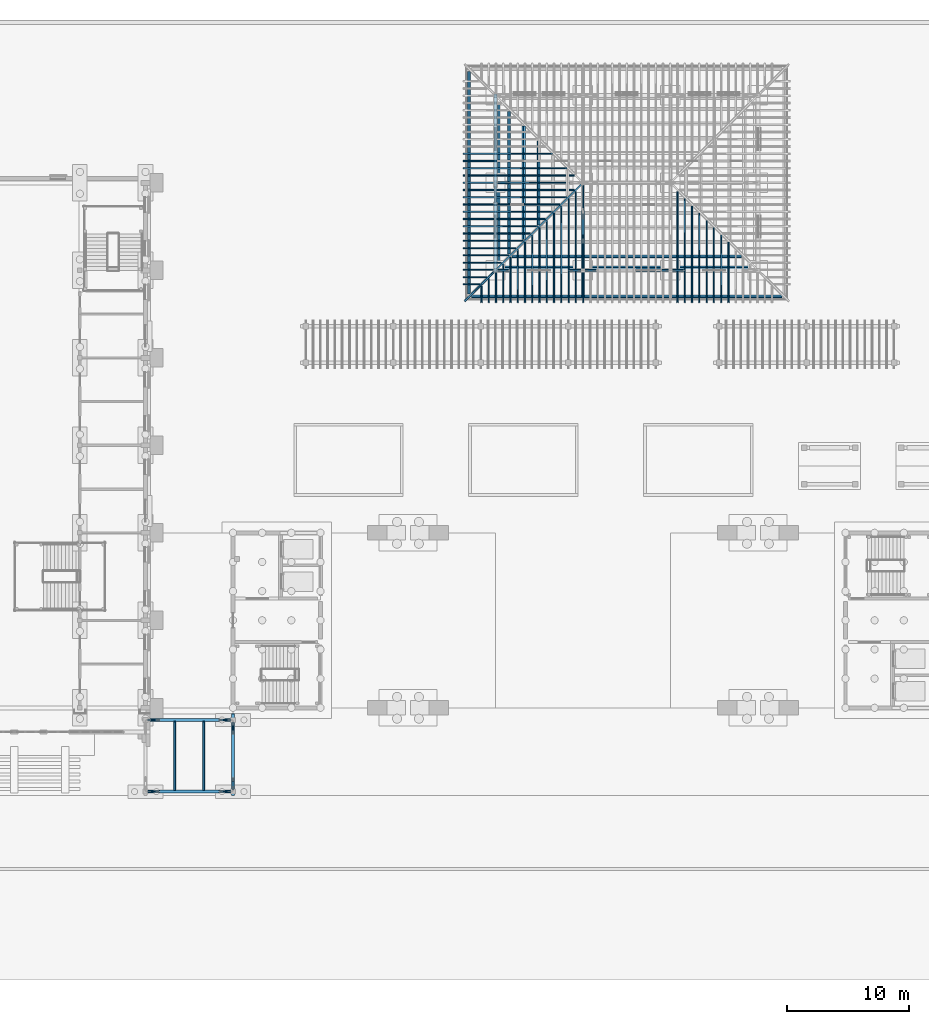
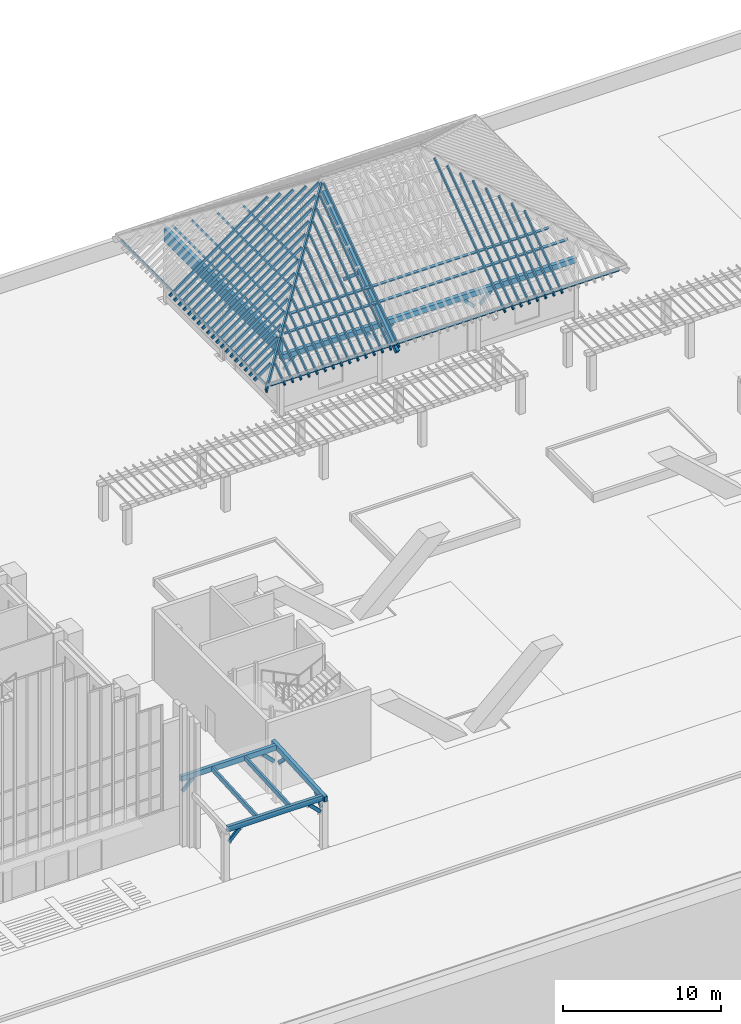
# One storey, part 11 of 84: 66 members, 7 beams.
"""IFC4 building model written with IfcOpenShell, lengths in metres."""

from ifc_helpers import new_model, si_unit, direction, frame, origin, origin_2d, place, context, subcontext, project, spatial, rectangle, extrude, material, material_profile, profile_set, type_object, element, save


model = new_model("IFC4")

# Units and contexts
model_context = context("Model", 3, precision=1e-05, world=origin(), true_north=direction((0.0, 1.0)))
body_context = subcontext(model_context, "Body", "Model", "MODEL_VIEW")
ifc_project = project(units=[si_unit("LENGTHUNIT", "METRE"), si_unit("AREAUNIT", "SQUARE_METRE"), si_unit("VOLUMEUNIT", "CUBIC_METRE"), si_unit("PLANEANGLEUNIT", "RADIAN"), si_unit("MASSUNIT", "GRAM", prefix="KILO")], contexts=[model_context])

# Site, building, storey
site_placement = place(None, origin())
site = spatial("IfcSite", under=ifc_project, at=site_placement, CompositionType="ELEMENT")
building_placement = place(site_placement, origin())
building = spatial("IfcBuilding", under=site, at=building_placement, Name="Mazhai Court Health Centre", CompositionType="ELEMENT")
storey_placement = place(building_placement, origin())
storey = spatial("IfcBuildingStorey", under=building, at=storey_placement, Name="L00", CompositionType="ELEMENT", Elevation=0.0)

# Members
ifc_material_1 = material(Name="Glulam GL24h", Category="wood")
ifc_material_profile_1 = material_profile(ifc_material_1, rectangle(XDim=0.10009765625, YDim=0.199951171875, at=origin_2d()), Name="GL24h 100x200")
ifc_profile_set_1 = profile_set([ifc_material_profile_1], Name="Glulam GL24h")
member_type_1 = type_object("IfcMemberType", Name="GL24h 100x200 rafter", PredefinedType="RAFTER", material=ifc_profile_set_1)
member_1_placement = place(storey_placement, frame((111.76806640625, 46.8017578125, 4.09375), z_axis=(0.0, 0.812419464296, 0.583073420791), x_axis=(-1.0, 0.0, 0.0)))
element("IfcMember", 1, at=member_1_placement, inside=storey, type_object=member_type_1, Name="Rafter RV3-RF7", PredefinedType="RAFTER", context=body_context, shape_type="SweptSolid", body=[
    extrude(rectangle(XDim=0.10009765625, YDim=0.199951171875, at=origin_2d()), origin(), (0.0, 0.0, 1.0), 5.947509765625),
])
member_2_placement = place(storey_placement, frame((111.17041015625, 46.8017578125, 4.09375), z_axis=(0.0, 0.812418244534, 0.58307512033), x_axis=(-1.0, 0.0, 0.0)))
element("IfcMember", 2, at=member_2_placement, inside=storey, type_object=member_type_1, Name="Rafter RV3-RF8", PredefinedType="RAFTER", context=body_context, shape_type="SweptSolid", body=[
    extrude(rectangle(XDim=0.10009765625, YDim=0.199951171875, at=origin_2d()), origin(), (0.0, 0.0, 1.0), 6.68310546875),
])
member_3_placement = place(storey_placement, frame((110.57275390625, 46.8017578125, 4.09375), z_axis=(0.0, 0.812428454473, 0.583060894214), x_axis=(-1.0, 0.0, 0.0)))
element("IfcMember", 3, at=member_3_placement, inside=storey, type_object=member_type_1, Name="Rafter RV3-RF9", PredefinedType="RAFTER", context=body_context, shape_type="SweptSolid", body=[
    extrude(rectangle(XDim=0.10009765625, YDim=0.199951171875, at=origin_2d()), origin(), (0.0, 0.0, 1.0), 7.4189453125),
])
member_4_placement = place(storey_placement, frame((109.97509765625, 46.8017578125, 4.09375), z_axis=(0.0, 0.812426643806, 0.583063417163), x_axis=(-1.0, 0.0, 0.0)))
element("IfcMember", 4, at=member_4_placement, inside=storey, type_object=member_type_1, Name="Rafter RV3-RF10", PredefinedType="RAFTER", context=body_context, shape_type="SweptSolid", body=[
    extrude(rectangle(XDim=0.10009765625, YDim=0.199951171875, at=origin_2d()), origin(), (0.0, 0.0, 1.0), 8.154541015625),
])
member_5_placement = place(storey_placement, frame((109.377197265625, 46.8017578125, 4.09375), z_axis=(0.0, 0.812425132796, 0.583065522563), x_axis=(-1.0, 0.0, 0.0)))
element("IfcMember", 5, at=member_5_placement, inside=storey, type_object=member_type_1, Name="Rafter RV3-RF11", PredefinedType="RAFTER", context=body_context, shape_type="SweptSolid", body=[
    extrude(rectangle(XDim=0.10009765625, YDim=0.199951171875, at=origin_2d()), origin(), (0.0, 0.0, 1.0), 8.89013671875),
])
member_6_placement = place(storey_placement, frame((108.779541015625, 46.8017578125, 4.09375), z_axis=(0.0, 0.812432475027, 0.583055291993), x_axis=(-1.0, 0.0, 0.0)))
element("IfcMember", 6, at=member_6_placement, inside=storey, type_object=member_type_1, Name="Rafter RV3-RF12", PredefinedType="RAFTER", context=body_context, shape_type="SweptSolid", body=[
    extrude(rectangle(XDim=0.10009765625, YDim=0.199951171875, at=origin_2d()), origin(), (0.0, 0.0, 1.0), 9.626220703125),
])
member_7_placement = place(storey_placement, frame((108.181884765625, 46.8017578125, 4.09375), z_axis=(0.0, 0.812430764619, 0.583057675278), x_axis=(-1.0, 0.0, 0.0)))
element("IfcMember", 7, at=member_7_placement, inside=storey, type_object=member_type_1, Name="Rafter RV3-RF13", PredefinedType="RAFTER", context=body_context, shape_type="SweptSolid", body=[
    extrude(rectangle(XDim=0.10009765625, YDim=0.199951171875, at=origin_2d()), origin(), (0.0, 0.0, 1.0), 10.36181640625),
])
member_8_placement = place(storey_placement, frame((107.583984375, 46.8017578125, 4.09375), z_axis=(0.0, 0.812429280975, 0.583059742578), x_axis=(-1.0, 0.0, 0.0)))
element("IfcMember", 8, at=member_8_placement, inside=storey, type_object=member_type_1, Name="Rafter RV3-RF14", PredefinedType="RAFTER", context=body_context, shape_type="SweptSolid", body=[
    extrude(rectangle(XDim=0.10009765625, YDim=0.199951171875, at=origin_2d()), origin(), (0.0, 0.0, 1.0), 11.097412109375),
])
member_9_placement = place(storey_placement, frame((99.813720703125, 46.8017578125, 4.09375), z_axis=(0.0, 0.812433146578, 0.583054356249), x_axis=(-1.0, 0.0, 0.0)))
element("IfcMember", 9, at=member_9_placement, inside=storey, type_object=member_type_1, Name="Rafter RV3-RF27", PredefinedType="RAFTER", context=body_context, shape_type="SweptSolid", body=[
    extrude(rectangle(XDim=0.10009765625, YDim=0.199951171875, at=origin_2d()), origin(), (0.0, 0.0, 1.0), 11.81640625),
])
member_10_placement = place(storey_placement, frame((99.2158203125, 46.8017578125, 4.09375), z_axis=(0.0, 0.812429280975, 0.583059742578), x_axis=(-1.0, 0.0, 0.0)))
element("IfcMember", 10, at=member_10_placement, inside=storey, type_object=member_type_1, Name="Rafter RV3-RF28", PredefinedType="RAFTER", context=body_context, shape_type="SweptSolid", body=[
    extrude(rectangle(XDim=0.10009765625, YDim=0.199951171875, at=origin_2d()), origin(), (0.0, 0.0, 1.0), 11.097412109375),
])
member_11_placement = place(storey_placement, frame((98.6181640625, 46.8017578125, 4.09375), z_axis=(0.0, 0.812430764619, 0.583057675278), x_axis=(-1.0, 0.0, 0.0)))
element("IfcMember", 11, at=member_11_placement, inside=storey, type_object=member_type_1, Name="Rafter RV3-RF29", PredefinedType="RAFTER", context=body_context, shape_type="SweptSolid", body=[
    extrude(rectangle(XDim=0.10009765625, YDim=0.199951171875, at=origin_2d()), origin(), (0.0, 0.0, 1.0), 10.36181640625),
])
member_12_placement = place(storey_placement, frame((98.0205078125, 46.8017578125, 4.09375), z_axis=(0.0, 0.812432475027, 0.583055291993), x_axis=(-1.0, 0.0, 0.0)))
element("IfcMember", 12, at=member_12_placement, inside=storey, type_object=member_type_1, Name="Rafter RV3-RF30", PredefinedType="RAFTER", context=body_context, shape_type="SweptSolid", body=[
    extrude(rectangle(XDim=0.10009765625, YDim=0.199951171875, at=origin_2d()), origin(), (0.0, 0.0, 1.0), 9.626220703125),
])
member_13_placement = place(storey_placement, frame((97.422607421875, 46.8017578125, 4.09375), z_axis=(0.0, 0.812425132796, 0.583065522563), x_axis=(-1.0, 0.0, 0.0)))
element("IfcMember", 13, at=member_13_placement, inside=storey, type_object=member_type_1, Name="Rafter RV3-RF31", PredefinedType="RAFTER", context=body_context, shape_type="SweptSolid", body=[
    extrude(rectangle(XDim=0.10009765625, YDim=0.199951171875, at=origin_2d()), origin(), (0.0, 0.0, 1.0), 8.89013671875),
])
member_14_placement = place(storey_placement, frame((96.824951171875, 46.8017578125, 4.09375), z_axis=(0.0, 0.812426643806, 0.583063417163), x_axis=(-1.0, 0.0, 0.0)))
element("IfcMember", 14, at=member_14_placement, inside=storey, type_object=member_type_1, Name="Rafter RV3-RF32", PredefinedType="RAFTER", context=body_context, shape_type="SweptSolid", body=[
    extrude(rectangle(XDim=0.10009765625, YDim=0.199951171875, at=origin_2d()), origin(), (0.0, 0.0, 1.0), 8.154541015625),
])
member_15_placement = place(storey_placement, frame((96.227294921875, 46.8017578125, 4.09375), z_axis=(0.0, 0.812428454473, 0.583060894214), x_axis=(-1.0, 0.0, 0.0)))
element("IfcMember", 15, at=member_15_placement, inside=storey, type_object=member_type_1, Name="Rafter RV3-RF33", PredefinedType="RAFTER", context=body_context, shape_type="SweptSolid", body=[
    extrude(rectangle(XDim=0.10009765625, YDim=0.199951171875, at=origin_2d()), origin(), (0.0, 0.0, 1.0), 7.4189453125),
])
member_16_placement = place(storey_placement, frame((95.629638671875, 46.8017578125, 4.09375), z_axis=(0.0, 0.812418244534, 0.58307512033), x_axis=(-1.0, 0.0, 0.0)))
element("IfcMember", 16, at=member_16_placement, inside=storey, type_object=member_type_1, Name="Rafter RV3-RF34", PredefinedType="RAFTER", context=body_context, shape_type="SweptSolid", body=[
    extrude(rectangle(XDim=0.10009765625, YDim=0.199951171875, at=origin_2d()), origin(), (0.0, 0.0, 1.0), 6.68310546875),
])
member_17_placement = place(storey_placement, frame((95.03173828125, 46.8017578125, 4.09375), z_axis=(0.0, 0.812419464296, 0.583073420791), x_axis=(-1.0, 0.0, 0.0)))
element("IfcMember", 17, at=member_17_placement, inside=storey, type_object=member_type_1, Name="Rafter RV3-RF35", PredefinedType="RAFTER", context=body_context, shape_type="SweptSolid", body=[
    extrude(rectangle(XDim=0.10009765625, YDim=0.199951171875, at=origin_2d()), origin(), (0.0, 0.0, 1.0), 5.947509765625),
])
member_18_placement = place(storey_placement, frame((94.43408203125, 46.8017578125, 4.09375), z_axis=(0.0, 0.812421028402, 0.583071241453), x_axis=(-1.0, 0.0, 0.0)))
element("IfcMember", 18, at=member_18_placement, inside=storey, type_object=member_type_1, Name="Rafter RV3-RF36", PredefinedType="RAFTER", context=body_context, shape_type="SweptSolid", body=[
    extrude(rectangle(XDim=0.10009765625, YDim=0.199951171875, at=origin_2d()), origin(), (0.0, 0.0, 1.0), 5.211669921875),
])
member_19_placement = place(storey_placement, frame((93.83642578125, 46.8017578125, 4.09375), z_axis=(0.0, 0.812423106631, 0.583068345746), x_axis=(-1.0, 0.0, 0.0)))
element("IfcMember", 19, at=member_19_placement, inside=storey, type_object=member_type_1, Name="Rafter RV3-RF37", PredefinedType="RAFTER", context=body_context, shape_type="SweptSolid", body=[
    extrude(rectangle(XDim=0.10009765625, YDim=0.199951171875, at=origin_2d()), origin(), (0.0, 0.0, 1.0), 4.47607421875),
])
member_20_placement = place(storey_placement, frame((93.238525390625, 46.8017578125, 4.09375), z_axis=(0.0, 0.812403810832, 0.58309523077), x_axis=(-1.0, 0.0, 0.0)))
element("IfcMember", 20, at=member_20_placement, inside=storey, type_object=member_type_1, Name="Rafter RV3-RF38", PredefinedType="RAFTER", context=body_context, shape_type="SweptSolid", body=[
    extrude(rectangle(XDim=0.10009765625, YDim=0.199951171875, at=origin_2d()), origin(), (0.0, 0.0, 1.0), 3.740234375),
])
member_21_placement = place(storey_placement, frame((92.640869140625, 46.8017578125, 4.09375), z_axis=(0.0, 0.812402691267, 0.583096790612), x_axis=(-1.0, 0.0, 0.0)))
element("IfcMember", 21, at=member_21_placement, inside=storey, type_object=member_type_1, Name="Rafter RV3-RF39", PredefinedType="RAFTER", context=body_context, shape_type="SweptSolid", body=[
    extrude(rectangle(XDim=0.10009765625, YDim=0.199951171875, at=origin_2d()), origin(), (0.0, 0.0, 1.0), 3.004638671875),
])
member_22_placement = place(storey_placement, frame((92.043212890625, 46.8017578125, 4.09375), z_axis=(0.0, 0.812451818334, 0.583028337978), x_axis=(-1.0, 0.0, 0.0)))
element("IfcMember", 22, at=member_22_placement, inside=storey, type_object=member_type_1, Name="Rafter RV3-RF40", PredefinedType="RAFTER", context=body_context, shape_type="SweptSolid", body=[
    extrude(rectangle(XDim=0.10009765625, YDim=0.199951171875, at=origin_2d()), origin(), (0.0, 0.0, 1.0), 2.268798828125),
])
member_23_placement = place(storey_placement, frame((91.445556640625, 46.8017578125, 4.09375), z_axis=(0.0, 0.812418522715, 0.583074732731), x_axis=(-1.0, 0.0, 0.0)))
element("IfcMember", 23, at=member_23_placement, inside=storey, type_object=member_type_1, Name="Rafter RV3-RF41", PredefinedType="RAFTER", context=body_context, shape_type="SweptSolid", body=[
    extrude(rectangle(XDim=0.10009765625, YDim=0.199951171875, at=origin_2d()), origin(), (0.0, 0.0, 1.0), 1.532958984375),
])
member_24_placement = place(storey_placement, frame((90.001708984375, 48.24365234375, 4.09375), z_axis=(0.81247092687, 0.0, 0.583001709252), x_axis=(0.0, 1.0, 0.0)))
element("IfcMember", 24, at=member_24_placement, inside=storey, type_object=member_type_1, Name="Rafter RV3-RF83", PredefinedType="RAFTER", context=body_context, shape_type="SweptSolid", body=[
    extrude(rectangle(XDim=0.10009765625, YDim=0.199951171875, at=origin_2d()), origin(), (0.0, 0.0, 1.0), 1.531005859375),
])
member_25_placement = place(storey_placement, frame((90.001708984375, 48.840576171875, 4.09375), z_axis=(0.812406193788, 0.0, 0.583091910676), x_axis=(0.0, 1.0, 0.0)))
element("IfcMember", 25, at=member_25_placement, inside=storey, type_object=member_type_1, Name="Rafter RV3-RF84", PredefinedType="RAFTER", context=body_context, shape_type="SweptSolid", body=[
    extrude(rectangle(XDim=0.10009765625, YDim=0.199951171875, at=origin_2d()), origin(), (0.0, 0.0, 1.0), 2.265625),
])
member_26_placement = place(storey_placement, frame((90.001708984375, 49.4375, 4.09375), z_axis=(0.812439371271, 0.0, 0.583045682608), x_axis=(0.0, 1.0, 0.0)))
element("IfcMember", 26, at=member_26_placement, inside=storey, type_object=member_type_1, Name="Rafter RV3-RF85", PredefinedType="RAFTER", context=body_context, shape_type="SweptSolid", body=[
    extrude(rectangle(XDim=0.10009765625, YDim=0.199951171875, at=origin_2d()), origin(), (0.0, 0.0, 1.0), 3.000244140625),
])
member_27_placement = place(storey_placement, frame((90.001708984375, 50.034423828125, 4.09375), z_axis=(0.812428532233, 0.0, 0.583060785865), x_axis=(0.0, 1.0, 0.0)))
element("IfcMember", 27, at=member_27_placement, inside=storey, type_object=member_type_1, Name="Rafter RV3-RF86", PredefinedType="RAFTER", context=body_context, shape_type="SweptSolid", body=[
    extrude(rectangle(XDim=0.10009765625, YDim=0.199951171875, at=origin_2d()), origin(), (0.0, 0.0, 1.0), 3.735107421875),
])
member_28_placement = place(storey_placement, frame((90.001708984375, 50.63134765625, 4.09375), z_axis=(0.812421256659, 0.0, 0.583070923412), x_axis=(0.0, 1.0, 0.0)))
element("IfcMember", 28, at=member_28_placement, inside=storey, type_object=member_type_1, Name="Rafter RV3-RF87", PredefinedType="RAFTER", context=body_context, shape_type="SweptSolid", body=[
    extrude(rectangle(XDim=0.10009765625, YDim=0.199951171875, at=origin_2d()), origin(), (0.0, 0.0, 1.0), 4.4697265625),
])
member_29_placement = place(storey_placement, frame((90.001708984375, 51.22802734375, 4.09375), z_axis=(0.81243825622, 0.0, 0.583047236362), x_axis=(0.0, 1.0, 0.0)))
element("IfcMember", 29, at=member_29_placement, inside=storey, type_object=member_type_1, Name="Rafter RV3-RF88", PredefinedType="RAFTER", context=body_context, shape_type="SweptSolid", body=[
    extrude(rectangle(XDim=0.10009765625, YDim=0.199951171875, at=origin_2d()), origin(), (0.0, 0.0, 1.0), 5.204345703125),
])
member_30_placement = place(storey_placement, frame((90.001708984375, 51.824951171875, 4.09375), z_axis=(0.812417602705, 0.0, 0.583076014611), x_axis=(0.0, 1.0, 0.0)))
element("IfcMember", 30, at=member_30_placement, inside=storey, type_object=member_type_1, Name="Rafter RV3-RF89", PredefinedType="RAFTER", context=body_context, shape_type="SweptSolid", body=[
    extrude(rectangle(XDim=0.10009765625, YDim=0.199951171875, at=origin_2d()), origin(), (0.0, 0.0, 1.0), 5.93896484375),
])
member_31_placement = place(storey_placement, frame((90.001708984375, 52.421875, 4.09375), z_axis=(0.812431262161, 0.0, 0.583056982003), x_axis=(0.0, 1.0, 0.0)))
element("IfcMember", 31, at=member_31_placement, inside=storey, type_object=member_type_1, Name="Rafter RV3-RF90", PredefinedType="RAFTER", context=body_context, shape_type="SweptSolid", body=[
    extrude(rectangle(XDim=0.10009765625, YDim=0.199951171875, at=origin_2d()), origin(), (0.0, 0.0, 1.0), 6.673583984375),
])
member_32_placement = place(storey_placement, frame((90.001708984375, 53.018798828125, 4.09375), z_axis=(0.812426601812, 0.0, 0.583063475677), x_axis=(0.0, 1.0, 0.0)))
element("IfcMember", 32, at=member_32_placement, inside=storey, type_object=member_type_1, Name="Rafter RV3-RF91", PredefinedType="RAFTER", context=body_context, shape_type="SweptSolid", body=[
    extrude(rectangle(XDim=0.10009765625, YDim=0.199951171875, at=origin_2d()), origin(), (0.0, 0.0, 1.0), 7.408447265625),
])
member_33_placement = place(storey_placement, frame((90.001708984375, 53.61572265625, 4.09375), z_axis=(0.812436984369, 0.0, 0.5830490086), x_axis=(0.0, 1.0, 0.0)))
element("IfcMember", 33, at=member_33_placement, inside=storey, type_object=member_type_1, Name="Rafter RV3-RF92", PredefinedType="RAFTER", context=body_context, shape_type="SweptSolid", body=[
    extrude(rectangle(XDim=0.10009765625, YDim=0.199951171875, at=origin_2d()), origin(), (0.0, 0.0, 1.0), 8.14306640625),
])
member_34_placement = place(storey_placement, frame((90.001708984375, 54.21240234375, 4.09375), z_axis=(0.812432621832, 0.0, 0.583055087435), x_axis=(0.0, 1.0, 0.0)))
element("IfcMember", 34, at=member_34_placement, inside=storey, type_object=member_type_1, Name="Rafter RV3-RF93", PredefinedType="RAFTER", context=body_context, shape_type="SweptSolid", body=[
    extrude(rectangle(XDim=0.10009765625, YDim=0.199951171875, at=origin_2d()), origin(), (0.0, 0.0, 1.0), 8.8779296875),
])
member_35_placement = place(storey_placement, frame((90.001708984375, 54.809326171875, 4.09375), z_axis=(0.812420291668, 0.0, 0.583072267979), x_axis=(0.0, 1.0, 0.0)))
element("IfcMember", 35, at=member_35_placement, inside=storey, type_object=member_type_1, Name="Rafter RV3-RF94", PredefinedType="RAFTER", context=body_context, shape_type="SweptSolid", body=[
    extrude(rectangle(XDim=0.10009765625, YDim=0.199951171875, at=origin_2d()), origin(), (0.0, 0.0, 1.0), 9.6123046875),
])
member_36_placement = place(storey_placement, frame((90.001708984375, 55.40625, 4.09375), z_axis=(0.812428910822, 0.0, 0.583060258345), x_axis=(0.0, 1.0, 0.0)))
element("IfcMember", 36, at=member_36_placement, inside=storey, type_object=member_type_1, Name="Rafter RV3-RF95", PredefinedType="RAFTER", context=body_context, shape_type="SweptSolid", body=[
    extrude(rectangle(XDim=0.10009765625, YDim=0.199951171875, at=origin_2d()), origin(), (0.0, 0.0, 1.0), 10.34716796875),
])
member_37_placement = place(storey_placement, frame((90.001708984375, 56.003173828125, 4.09375), z_axis=(0.812425951184, 0.0, 0.583064382245), x_axis=(0.0, 1.0, 0.0)))
element("IfcMember", 37, at=member_37_placement, inside=storey, type_object=member_type_1, Name="Rafter RV3-RF96", PredefinedType="RAFTER", context=body_context, shape_type="SweptSolid", body=[
    extrude(rectangle(XDim=0.10009765625, YDim=0.199951171875, at=origin_2d()), origin(), (0.0, 0.0, 1.0), 11.081787109375),
])
member_38_placement = place(storey_placement, frame((90.001708984375, 56.60009765625, 4.09375), z_axis=(0.812433146578, 0.0, 0.583054356249), x_axis=(0.0, 1.0, 0.0)))
element("IfcMember", 38, at=member_38_placement, inside=storey, type_object=member_type_1, Name="Rafter RV3-RF97", PredefinedType="RAFTER", context=body_context, shape_type="SweptSolid", body=[
    extrude(rectangle(XDim=0.10009765625, YDim=0.199951171875, at=origin_2d()), origin(), (0.0, 0.0, 1.0), 11.81640625),
])
member_39_placement = place(storey_placement, frame((90.001708984375, 57.19677734375, 4.09375), z_axis=(0.812425951184, 0.0, 0.583064382245), x_axis=(0.0, 1.0, 0.0)))
element("IfcMember", 39, at=member_39_placement, inside=storey, type_object=member_type_1, Name="Rafter RV3-RF98", PredefinedType="RAFTER", context=body_context, shape_type="SweptSolid", body=[
    extrude(rectangle(XDim=0.10009765625, YDim=0.199951171875, at=origin_2d()), origin(), (0.0, 0.0, 1.0), 11.081787109375),
])
member_40_placement = place(storey_placement, frame((90.001708984375, 57.793701171875, 4.09375), z_axis=(0.812428910822, 0.0, 0.583060258345), x_axis=(0.0, 1.0, 0.0)))
element("IfcMember", 40, at=member_40_placement, inside=storey, type_object=member_type_1, Name="Rafter RV3-RF99", PredefinedType="RAFTER", context=body_context, shape_type="SweptSolid", body=[
    extrude(rectangle(XDim=0.10009765625, YDim=0.199951171875, at=origin_2d()), origin(), (0.0, 0.0, 1.0), 10.34716796875),
])
member_41_placement = place(storey_placement, frame((90.001708984375, 58.390625, 4.09375), z_axis=(0.812420291668, 0.0, 0.583072267979), x_axis=(0.0, 1.0, 0.0)))
element("IfcMember", 41, at=member_41_placement, inside=storey, type_object=member_type_1, Name="Rafter RV3-RF100", PredefinedType="RAFTER", context=body_context, shape_type="SweptSolid", body=[
    extrude(rectangle(XDim=0.10009765625, YDim=0.199951171875, at=origin_2d()), origin(), (0.0, 0.0, 1.0), 9.6123046875),
])
member_42_placement = place(storey_placement, frame((90.001708984375, 58.987548828125, 4.09375), z_axis=(0.812432621832, 0.0, 0.583055087435), x_axis=(0.0, 1.0, 0.0)))
element("IfcMember", 42, at=member_42_placement, inside=storey, type_object=member_type_1, Name="Rafter RV3-RF101", PredefinedType="RAFTER", context=body_context, shape_type="SweptSolid", body=[
    extrude(rectangle(XDim=0.10009765625, YDim=0.199951171875, at=origin_2d()), origin(), (0.0, 0.0, 1.0), 8.8779296875),
])
ifc_material_2 = material(Name="Glulam GL24h", Category="wood")
ifc_material_profile_2 = material_profile(ifc_material_2, rectangle(XDim=0.1201171875, YDim=0.43994140625, at=origin_2d()), Name="GL24h 120x440")
ifc_profile_set_2 = profile_set([ifc_material_profile_2], Name="Glulam GL24h")
member_type_2 = type_object("IfcMemberType", Name="GL24h 120x440 hip rafter", PredefinedType="RAFTER", material=ifc_profile_set_2)
member_43_placement = place(storey_placement, frame((92.51708984375, 49.31689453125, 5.72705078125), z_axis=(0.630548266976, 0.630569611106, 0.452538228841), x_axis=(-0.707118748704, 0.707094813466, 0.0)))
element("IfcMember", 43, at=member_43_placement, inside=storey, type_object=member_type_2, Name="Hip rafter RV3-HR1", PredefinedType="RAFTER", context=body_context, shape_type="SweptSolid", body=[
    extrude(rectangle(XDim=0.1201171875, YDim=0.43994140625, at=origin_2d()), origin(), (0.0, 0.0, 1.0), 11.438232421875),
])
member_44_placement = place(storey_placement, frame((90.129638671875, 46.9296875, 4.013671875), z_axis=(0.630554801761, 0.630554801761, 0.452549758538), x_axis=(-0.707106781187, 0.707106781187, 0.0)))
element("IfcMember", 44, at=member_44_placement, inside=storey, type_object=member_type_2, Name="Hip rafter tail RV3-HR2", PredefinedType="RAFTER", context=body_context, shape_type="SweptSolid", body=[
    extrude(rectangle(XDim=0.1201171875, YDim=0.43994140625, at=origin_2d()), origin(), (0.0, 0.0, 1.0), 3.805908203125),
])
ifc_material_3 = material(Name="Glulam GL24h", Category="wood")
ifc_material_profile_3 = material_profile(ifc_material_3, rectangle(XDim=0.139892578125, YDim=0.239990234375, at=origin_2d()), Name="GL24h 140x240")
ifc_profile_set_3 = profile_set([ifc_material_profile_3], Name="Glulam GL24h")
member_type_3 = type_object("IfcMemberType", Name="GL24h 140x240 purlin", PredefinedType="PURLIN", material=ifc_profile_set_3)
member_45_placement = place(storey_placement, frame((90.6416015625, 47.22998046875, 4.13037109375), z_axis=(1.0, 0.0, 0.0), x_axis=(0.0, 0.81243100259, 0.58305734369)))
element("IfcMember", 45, at=member_45_placement, inside=storey, type_object=member_type_3, Name="Purlin RV3-PU1", PredefinedType="PURLIN", context=body_context, shape_type="SweptSolid", body=[
    extrude(rectangle(XDim=0.139892578125, YDim=0.239990234375, at=origin_2d()), origin(), (0.0, 0.0, 1.0), 25.5166015625),
])
member_46_placement = place(storey_placement, frame((93.041748046875, 49.630126953125, 5.852783203125), z_axis=(1.0, 0.0, 0.0), x_axis=(0.0, 0.81243100259, 0.58305734369)))
element("IfcMember", 46, at=member_46_placement, inside=storey, type_object=member_type_3, Name="Purlin RV3-PU2", PredefinedType="PURLIN", context=body_context, shape_type="SweptSolid", body=[
    extrude(rectangle(XDim=0.139892578125, YDim=0.239990234375, at=origin_2d()), origin(), (0.0, 0.0, 1.0), 20.716552734375),
])
member_47_placement = place(storey_placement, frame((93.941650390625, 50.530029296875, 6.498779296875), z_axis=(1.0, 0.0, 0.0), x_axis=(0.0, 0.81243100259, 0.58305734369)))
element("IfcMember", 47, at=member_47_placement, inside=storey, type_object=member_type_3, Name="Purlin RV3-PU3", PredefinedType="PURLIN", context=body_context, shape_type="SweptSolid", body=[
    extrude(rectangle(XDim=0.139892578125, YDim=0.239990234375, at=origin_2d()), origin(), (0.0, 0.0, 1.0), 18.916748046875),
])
member_48_placement = place(storey_placement, frame((90.429931640625, 47.441650390625, 4.13037109375), z_axis=(0.0, 1.0, 0.0), x_axis=(-0.81243100259, 0.0, -0.58305734369)))
element("IfcMember", 48, at=member_48_placement, inside=storey, type_object=member_type_3, Name="Purlin RV3-PU15", PredefinedType="PURLIN", context=body_context, shape_type="SweptSolid", body=[
    extrude(rectangle(XDim=0.139892578125, YDim=0.239990234375, at=origin_2d()), origin(), (0.0, 0.0, 1.0), 18.316650390625),
])
member_49_placement = place(storey_placement, frame((92.830078125, 49.841796875, 5.852783203125), z_axis=(0.0, 1.0, 0.0), x_axis=(-0.81243100259, 0.0, -0.58305734369)))
element("IfcMember", 49, at=member_49_placement, inside=storey, type_object=member_type_3, Name="Purlin RV3-PU16", PredefinedType="PURLIN", context=body_context, shape_type="SweptSolid", body=[
    extrude(rectangle(XDim=0.139892578125, YDim=0.239990234375, at=origin_2d()), origin(), (0.0, 0.0, 1.0), 13.5166015625),
])
member_50_placement = place(storey_placement, frame((93.72998046875, 50.74169921875, 6.498779296875), z_axis=(0.0, 1.0, 0.0), x_axis=(-0.81243100259, 0.0, -0.58305734369)))
element("IfcMember", 50, at=member_50_placement, inside=storey, type_object=member_type_3, Name="Purlin RV3-PU17", PredefinedType="PURLIN", context=body_context, shape_type="SweptSolid", body=[
    extrude(rectangle(XDim=0.139892578125, YDim=0.239990234375, at=origin_2d()), origin(), (0.0, 0.0, 1.0), 11.716552734375),
])
member_51_placement = place(storey_placement, frame((94.929931640625, 51.941650390625, 7.35986328125), z_axis=(0.0, 1.0, 0.0), x_axis=(-0.81243100259, 0.0, -0.58305734369)))
element("IfcMember", 51, at=member_51_placement, inside=storey, type_object=member_type_3, Name="Purlin RV3-PU18", PredefinedType="PURLIN", context=body_context, shape_type="SweptSolid", body=[
    extrude(rectangle(XDim=0.139892578125, YDim=0.239990234375, at=origin_2d()), origin(), (0.0, 0.0, 1.0), 9.316650390625),
])
member_52_placement = place(storey_placement, frame((96.130126953125, 53.1416015625, 8.22119140625), z_axis=(0.0, 1.0, 0.0), x_axis=(-0.81243100259, 0.0, -0.58305734369)))
element("IfcMember", 52, at=member_52_placement, inside=storey, type_object=member_type_3, Name="Purlin RV3-PU19", PredefinedType="PURLIN", context=body_context, shape_type="SweptSolid", body=[
    extrude(rectangle(XDim=0.139892578125, YDim=0.239990234375, at=origin_2d()), origin(), (0.0, 0.0, 1.0), 6.916748046875),
])
ifc_material_4 = material(Name="Glulam GL24h", Category="wood")
ifc_material_profile_4 = material_profile(ifc_material_4, rectangle(XDim=0.139892578125, YDim=0.239990234375, at=origin_2d()), Name="GL24h 140x240")
ifc_profile_set_4 = profile_set([ifc_material_profile_4], Name="Glulam GL24h")
member_type_4 = type_object("IfcMemberType", Name="GL24h 140x240 strut", PredefinedType="BRACE", material=ifc_profile_set_4)
member_53_placement = place(storey_placement, frame((99.800048828125, 53.7763671875, 5.150634765625), z_axis=(0.0, -0.754727263875, 0.656038685722), x_axis=(1.0, 0.0, 0.0)))
element("IfcMember", 53, at=member_53_placement, inside=storey, type_object=member_type_4, Name="Strut TV3-1-S1", PredefinedType="BRACE", context=body_context, shape_type="SweptSolid", body=[
    extrude(rectangle(XDim=0.139892578125, YDim=0.239990234375, at=origin_2d()), origin(), (0.0, 0.0, 1.0), 2.590087890625),
])

# Beams
ifc_material_5 = material(Name="Glulam GL24h", Category="wood")
ifc_material_profile_5 = material_profile(ifc_material_5, rectangle(XDim=0.139892578125, YDim=0.360107421875, at=origin_2d()), Name="GL24h 140x360")
ifc_profile_set_5 = profile_set([ifc_material_profile_5], Name="Glulam GL24h")
beam_type_1 = type_object("IfcBeamType", Name="GL24h 140x360 joist", PredefinedType="JOIST", material=ifc_profile_set_5)
for number, where, z_axis, x_axis, name in (
    (54, (66.199951171875, 6.6201171875, 3.84326171875), (0.0, 0.998460220684, 0.055472404962), (-1.0, 0.0, 0.0), "joist-AR-L00-00-1"),
    (55, (68.60009765625, 6.6201171875, 3.84326171875), (0.0, 0.998460220684, 0.055472404962), (-1.0, 0.0, 0.0), "joist-AR-L00-00-2"),
):
    element("IfcBeam", number, at=place(storey_placement, frame(where, z_axis=z_axis, x_axis=x_axis)), inside=storey, type_object=beam_type_1, Name=name, PredefinedType="JOIST", context=body_context, shape_type="SweptSolid", body=[
        extrude(rectangle(XDim=0.139892578125, YDim=0.360107421875, at=origin_2d()), origin(), (0.0, 0.0, 1.0), 5.668701171875),
    ])

# Members
ifc_material_6 = material(Name="Glulam GL28h", Category="wood")
ifc_material_profile_6 = material_profile(ifc_material_6, rectangle(XDim=0.139892578125, YDim=0.239990234375, at=origin_2d()), Name="GL28h 140x240")
ifc_profile_set_6 = profile_set([ifc_material_profile_6], Name="Glulam GL28h")
member_type_5 = type_object("IfcMemberType", Name="GL28h 140x240 knee brace", PredefinedType="BRACE", material=ifc_profile_set_6)
for number, where, z_axis, x_axis, name in (
    (56, (92.81494140625, 49.39990234375, 3.2548828125), (0.707106781187, 0.0, 0.707106781187), (0.0, 1.0, 0.0), "brace-V3-L00-00p"),
    (57, (99.585205078125, 49.39990234375, 3.2548828125), (-0.707106781187, 0.0, 0.707106781187), (0.0, -1.0, 0.0), "brace-V3-L00-10w"),
    (58, (100.014892578125, 49.39990234375, 3.2548828125), (0.707106781187, 0.0, 0.707106781187), (0.0, 1.0, 0.0), "brace-V3-L00-10p"),
    (59, (106.78515625, 49.39990234375, 3.2548828125), (-0.707106781187, 0.0, 0.707106781187), (0.0, -1.0, 0.0), "brace-V3-L00-20w"),
    (60, (107.21484375, 49.39990234375, 3.2548828125), (0.707106781187, 0.0, 0.707106781187), (0.0, 1.0, 0.0), "brace-V3-L00-20p"),
    (61, (92.81494140625, 56.60009765625, 3.2548828125), (0.707106781187, 0.0, 0.707106781187), (0.0, 1.0, 0.0), "brace-V3-L00-01p"),
    (62, (64.054931640625, 6.5, 2.771484375), (0.707106781187, 0.0, 0.707106781187), (0.0, 1.0, 0.0), "brace-AR-L00-f00p"),
    (63, (64.054931640625, 12.39990234375, 3.099365234375), (0.707106781187, 0.0, 0.707106781187), (0.0, 1.0, 0.0), "brace-AR-L00-r00p"),
    (64, (70.7451171875, 6.5, 2.771484375), (-0.707106781187, 0.0, 0.707106781187), (0.0, -1.0, 0.0), "brace-AR-L00-f01w"),
    (65, (70.7451171875, 12.39990234375, 3.099365234375), (-0.707106781187, 0.0, 0.707106781187), (0.0, -1.0, 0.0), "brace-AR-L00-r01w"),
):
    element("IfcMember", number, at=place(storey_placement, frame(where, z_axis=z_axis, x_axis=x_axis)), inside=storey, type_object=member_type_5, Name=name, PredefinedType="BRACE", context=body_context, shape_type="SweptSolid", body=[
        extrude(rectangle(XDim=0.139892578125, YDim=0.239990234375, at=origin_2d()), origin(), (0.0, 0.0, 1.0), 1.11767578125),
    ])
member_54_placement = place(storey_placement, frame((71.0, 6.7548828125, 2.83251953125), z_axis=(0.0, 0.706996407852, 0.707217137296), x_axis=(-1.0, 0.0, 0.0)))
element("IfcMember", 66, at=member_54_placement, inside=storey, type_object=member_type_5, Name="brace-AR-L00-f01y", PredefinedType="BRACE", context=body_context, shape_type="SweptSolid", body=[
    extrude(rectangle(XDim=0.139892578125, YDim=0.239990234375, at=origin_2d()), origin(), (0.0, 0.0, 1.0), 1.10595703125),
])
member_55_placement = place(storey_placement, frame((71.0, 12.145263671875, 3.0380859375), z_axis=(0.0, -0.707106781187, 0.707106781187), x_axis=(1.0, 0.0, 0.0)))
element("IfcMember", 67, at=member_55_placement, inside=storey, type_object=member_type_5, Name="brace-AR-L00-r01y", PredefinedType="BRACE", context=body_context, shape_type="SweptSolid", body=[
    extrude(rectangle(XDim=0.139892578125, YDim=0.239990234375, at=origin_2d()), origin(), (0.0, 0.0, 1.0), 1.12841796875),
])
ifc_material_7 = material(Name="Glulam GL28h", Category="wood")
ifc_material_profile_7 = material_profile(ifc_material_7, rectangle(XDim=0.239990234375, YDim=0.320068359375, at=origin_2d()), Name="GL28h 240x320")
ifc_profile_set_7 = profile_set([ifc_material_profile_7], Name="Glulam GL28h")
member_type_6 = type_object("IfcMemberType", Name="GL28h 240x320 rafter", PredefinedType="CHORD", material=ifc_profile_set_7)
member_56_placement = place(storey_placement, frame((99.800048828125, 47.0, 3.62060546875), z_axis=(0.0, 0.812428537861, 0.583060778023), x_axis=(-1.0, 0.0, 0.0)))
element("IfcMember", 68, at=member_56_placement, inside=storey, type_object=member_type_6, Name="Rafter TV3-1-R1", PredefinedType="CHORD", context=body_context, shape_type="SweptSolid", body=[
    extrude(rectangle(XDim=0.239990234375, YDim=0.320068359375, at=origin_2d()), origin(), (0.0, 0.0, 1.0), 11.572265625),
])

# Beams
ifc_material_8 = material(Name="Glulam GL28h", Category="wood")
ifc_material_profile_8 = material_profile(ifc_material_8, rectangle(XDim=0.239990234375, YDim=0.39990234375, at=origin_2d()), Name="GL28h 240x400")
ifc_profile_set_8 = profile_set([ifc_material_profile_8], Name="Glulam GL28h")
beam_type_2 = type_object("IfcBeamType", Name="GL28h 240x400 beam", PredefinedType="BEAM", material=ifc_profile_set_8)
beam_1_placement = place(storey_placement, frame((71.0, 6.199951171875, 3.800048828125), z_axis=(0.0, 0.998461584388, 0.055447853901), x_axis=(-1.0, 0.0, 0.0)))
element("IfcBeam", 69, at=beam_1_placement, inside=storey, type_object=beam_type_2, Name="beam-AR-L00-01", PredefinedType="BEAM", context=body_context, shape_type="SweptSolid", body=[
    extrude(rectangle(XDim=0.239990234375, YDim=0.39990234375, at=origin_2d()), origin(), (0.0, 0.0, 1.0), 6.710205078125),
])
for number, where, z_axis, x_axis, name in (
    (70, (63.919921875, 6.5, 3.816650390625), (1.0, 0.0, 0.0), (0.0, 1.0, 0.0), "beam-AR-L00-ef00"),
    (71, (63.919921875, 12.39990234375, 4.14453125), (1.0, 0.0, 0.0), (0.0, 1.0, 0.0), "beam-AR-L00-er00"),
):
    element("IfcBeam", number, at=place(storey_placement, frame(where, z_axis=z_axis, x_axis=x_axis)), inside=storey, type_object=beam_type_2, Name=name, PredefinedType="BEAM", context=body_context, shape_type="SweptSolid", body=[
        extrude(rectangle(XDim=0.239990234375, YDim=0.39990234375, at=origin_2d()), origin(), (0.0, 0.0, 1.0), 6.9599609375),
    ])
ifc_material_9 = material(Name="Glulam GL28h", Category="wood")
ifc_material_profile_9 = material_profile(ifc_material_9, rectangle(XDim=0.280029296875, YDim=1.0400390625, at=origin_2d()), Name="GL28h 280x1040")
ifc_profile_set_9 = profile_set([ifc_material_profile_9], Name="Glulam GL28h")
beam_type_3 = type_object("IfcBeamType", Name="GL28h 280x1040 hip end beam", PredefinedType="BEAM", material=ifc_profile_set_9)
beam_2_placement = place(storey_placement, frame((92.60009765625, 49.280029296875, 5.02001953125), z_axis=(0.0, 1.0, 0.0), x_axis=(-1.0, 0.0, 0.0)))
element("IfcBeam", 72, at=beam_2_placement, inside=storey, type_object=beam_type_3, Name="beam-V3-L00-hipend0", PredefinedType="BEAM", context=body_context, shape_type="SweptSolid", body=[
    extrude(rectangle(XDim=0.280029296875, YDim=1.0400390625, at=origin_2d()), origin(), (0.0, 0.0, 1.0), 14.639892578125),
])
ifc_material_10 = material(Name="Glulam GL28h", Category="wood")
ifc_material_profile_10 = material_profile(ifc_material_10, rectangle(XDim=0.280029296875, YDim=0.39990234375, at=origin_2d()), Name="GL28h 280x400")
ifc_profile_set_10 = profile_set([ifc_material_profile_10], Name="Glulam GL28h")
beam_type_4 = type_object("IfcBeamType", Name="GL28h 280x400 beam", PredefinedType="BEAM", material=ifc_profile_set_10)
beam_3_placement = place(storey_placement, frame((92.60009765625, 49.39990234375, 4.300048828125), z_axis=(1.0, 0.0, 0.0), x_axis=(0.0, 1.0, 0.0)))
element("IfcBeam", 73, at=beam_3_placement, inside=storey, type_object=beam_type_4, Name="beam-V3-L00-e0", PredefinedType="BEAM", context=body_context, shape_type="SweptSolid", body=[
    extrude(rectangle(XDim=0.280029296875, YDim=0.39990234375, at=origin_2d()), origin(), (0.0, 0.0, 1.0), 21.599853515625),
])

save(model, "model.ifc")
